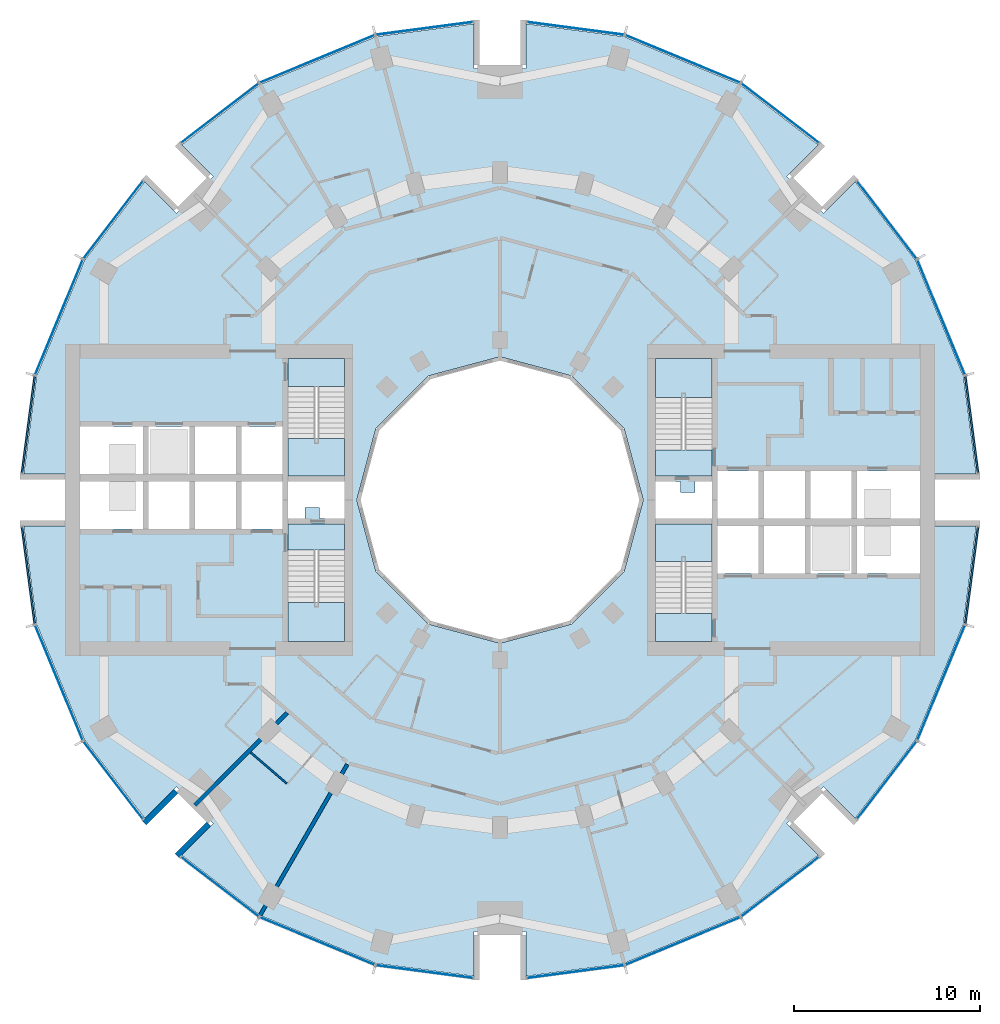
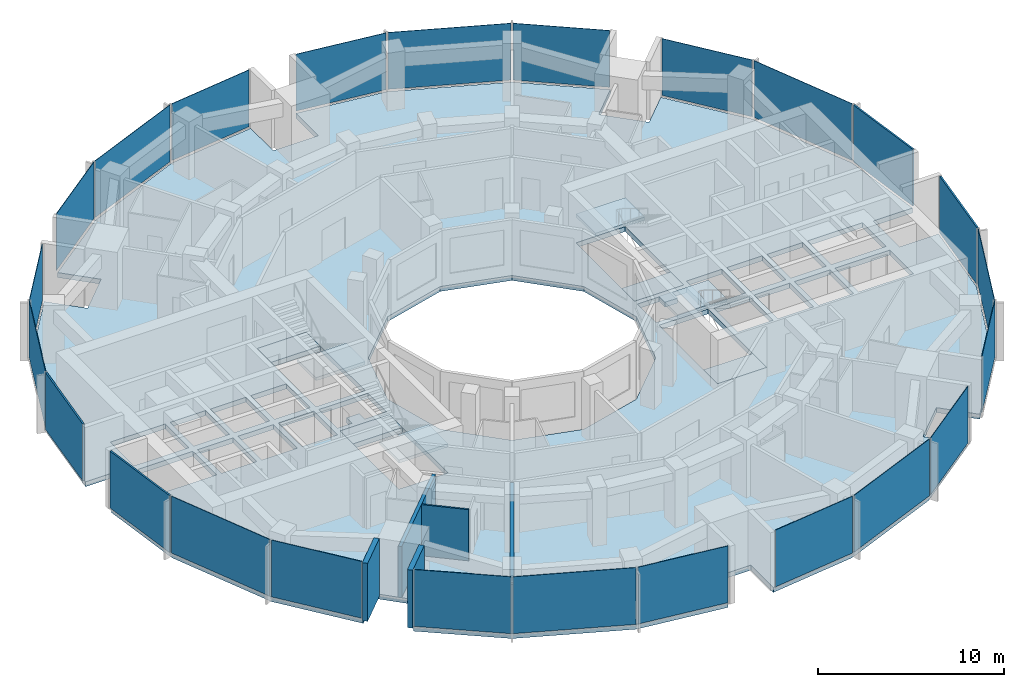
# One storey, part 7 of 15: 24 plates, 9 slabs, 5 walls, 28 elements without a shape of their own.
"""IFC4 building model written with IfcOpenShell, lengths in metres."""

from ifc_helpers import new_model, si_unit, direction, frame, frame_2d, origin, origin_2d, place, context, subcontext, project, spatial, polyline, rectangle, outline, extrude, material, layer, layer_set, type_object, element, aggregate, save


model = new_model("IFC4")

# Units and contexts
model_context = context("Model", 3, precision=1e-05, world=origin(), true_north=direction((0.0, 1.0)))
body_context = subcontext(model_context, "Body", "Model", "MODEL_VIEW")
ifc_project = project(units=[si_unit("LENGTHUNIT", "METRE"), si_unit("AREAUNIT", "SQUARE_METRE"), si_unit("VOLUMEUNIT", "CUBIC_METRE"), si_unit("PLANEANGLEUNIT", "RADIAN"), si_unit("MASSUNIT", "GRAM", prefix="KILO")], contexts=[model_context])

# Site, building, storey
site_placement = place(None, origin())
site = spatial("IfcSite", under=ifc_project, at=site_placement, CompositionType="ELEMENT")
building_placement = place(site_placement, origin())
building = spatial("IfcBuilding", under=site, at=building_placement, Name="Torre Brocal", CompositionType="ELEMENT")
storey_placement = place(building_placement, frame((0.0, 0.0, 97.60009765625)))
storey = spatial("IfcBuildingStorey", under=building, at=storey_placement, Name="L22", CompositionType="ELEMENT", Elevation=97.60009765625)

# Curtain wall, plate
ifc_material_1 = material(Name="Aluminium and glass", Category="aluminium")
ifc_layer_1 = layer(ifc_material_1, 0.199951171875)
ifc_layer_set_1 = layer_set([ifc_layer_1], Name="Aluminium and glass")
curtain_wall_type_1 = type_object("IfcCurtainWallType", Name="CW-1 CURTAIN WALL 3800 HIGH", PredefinedType="NOTDEFINED", material=ifc_layer_set_1)
curtain_wall_1_placement = place(storey_placement, origin())
curtain_wall_1 = element("IfcCurtainWall", 1, at=curtain_wall_1_placement, inside=storey, type_object=curtain_wall_type_1, Name="CW-1 RUN 2", PredefinedType="NOTDEFINED")
ifc_material_2 = material(Name="Glass, dark tinted laminated", Category="glass")
ifc_layer_2 = layer(ifc_material_2, 0.031982421875)
ifc_layer_set_2 = layer_set([ifc_layer_2], Name="Glass, dark tinted laminated")
plate_type_1 = type_object("IfcPlateType", Name="CW-1 GLASS PANEL 32", PredefinedType="CURTAIN_PANEL", material=ifc_layer_set_2)
plate_1_placement = place(storey_placement, frame((103.722900390625, 84.826416015625, 0.080078125), z_axis=(0.0, 0.0, 1.0), x_axis=(-0.382683432333, 0.923879532525, 0.0)))
plate_1 = element("IfcPlate", 2, at=plate_1_placement, type_object=plate_type_1, Name="CW1-1 panel 1.1", PredefinedType="CURTAIN_PANEL", context=body_context, shape_type="SweptSolid", body=[
    extrude(rectangle(XDim=6.64111328125, YDim=0.031982421875, at=origin_2d()), origin(), (0.0, 0.0, 1.0), 3.719970703125),
])
aggregate(curtain_wall_1, [plate_1])

curtain_wall_2_placement = place(storey_placement, origin())
curtain_wall_2 = element("IfcCurtainWall", 3, at=curtain_wall_2_placement, inside=storey, type_object=curtain_wall_type_1, Name="CW-1 RUN 3", PredefinedType="NOTDEFINED")
plate_2_placement = place(storey_placement, frame((100.80126953125, 90.0712890625, 0.080078125), z_axis=(0.0, 0.0, 1.0), x_axis=(-0.60876142905, 0.793353340259, 0.0)))
plate_2 = element("IfcPlate", 4, at=plate_2_placement, type_object=plate_type_1, Name="CW1-1 panel 1.1", PredefinedType="CURTAIN_PANEL", context=body_context, shape_type="SweptSolid", body=[
    extrude(rectangle(XDim=5.22900390625, YDim=0.031982421875, at=origin_2d()), origin(), (0.0, 0.0, 1.0), 3.719970703125),
])
aggregate(curtain_wall_2, [plate_2])

curtain_wall_3_placement = place(storey_placement, origin())
curtain_wall_3 = element("IfcCurtainWall", 5, at=curtain_wall_3_placement, inside=storey, type_object=curtain_wall_type_1, Name="CW-1 RUN 4", PredefinedType="NOTDEFINED")
plate_3_placement = place(storey_placement, frame((95.0712890625, 95.80126953125, 0.080078125), z_axis=(0.0, 0.0, 1.0), x_axis=(-0.793353340259, 0.60876142905, 0.0)))
plate_3 = element("IfcPlate", 6, at=plate_3_placement, type_object=plate_type_1, Name="CW1-1 panel 1.1", PredefinedType="CURTAIN_PANEL", context=body_context, shape_type="SweptSolid", body=[
    extrude(rectangle(XDim=5.22900390625, YDim=0.031982421875, at=origin_2d()), origin(), (0.0, 0.0, 1.0), 3.719970703125),
])
aggregate(curtain_wall_3, [plate_3])

curtain_wall_4_placement = place(storey_placement, origin())
curtain_wall_4 = element("IfcCurtainWall", 7, at=curtain_wall_4_placement, inside=storey, type_object=curtain_wall_type_1, Name="CW-1 RUN 5", PredefinedType="NOTDEFINED")
plate_4_placement = place(storey_placement, frame((89.826416015625, 98.722900390625, 0.080078125), z_axis=(0.0, 0.0, 1.0), x_axis=(-0.923879532525, 0.382683432333, 0.0)))
plate_4 = element("IfcPlate", 8, at=plate_4_placement, type_object=plate_type_1, Name="CW1-1 panel 1.1", PredefinedType="CURTAIN_PANEL", context=body_context, shape_type="SweptSolid", body=[
    extrude(rectangle(XDim=6.64111328125, YDim=0.031982421875, at=origin_2d()), origin(), (0.0, 0.0, 1.0), 3.719970703125),
])
aggregate(curtain_wall_4, [plate_4])

curtain_wall_5_placement = place(storey_placement, origin())
curtain_wall_5 = element("IfcCurtainWall", 9, at=curtain_wall_5_placement, inside=storey, type_object=curtain_wall_type_1, Name="CW-1 RUN 6", PredefinedType="NOTDEFINED")
plate_5_placement = place(storey_placement, frame((84.051513671875, 100.36572265625, 0.080078125), z_axis=(0.0, 0.0, 1.0), x_axis=(-0.991444861374, 0.13052619222, 0.0)))
plate_5 = element("IfcPlate", 10, at=plate_5_placement, type_object=plate_type_1, Name="CW1-1 panel 1.1", PredefinedType="CURTAIN_PANEL", context=body_context, shape_type="SweptSolid", body=[
    extrude(rectangle(XDim=5.22900390625, YDim=0.031982421875, at=origin_2d()), origin(), (0.0, 0.0, 1.0), 3.719970703125),
])
aggregate(curtain_wall_5, [plate_5])

curtain_wall_6_placement = place(storey_placement, origin())
curtain_wall_6 = element("IfcCurtainWall", 11, at=curtain_wall_6_placement, inside=storey, type_object=curtain_wall_type_1, Name="CW-1 RUN 7", PredefinedType="NOTDEFINED")
plate_6_placement = place(storey_placement, frame((75.948486328125, 100.36572265625, 0.080078125), z_axis=(0.0, 0.0, 1.0), x_axis=(-0.991444861374, -0.13052619222, 0.0)))
plate_6 = element("IfcPlate", 12, at=plate_6_placement, type_object=plate_type_1, Name="CW1-1 panel 1.1", PredefinedType="CURTAIN_PANEL", context=body_context, shape_type="SweptSolid", body=[
    extrude(rectangle(XDim=5.22900390625, YDim=0.031982421875, at=origin_2d()), origin(), (0.0, 0.0, 1.0), 3.719970703125),
])
aggregate(curtain_wall_6, [plate_6])

curtain_wall_7_placement = place(storey_placement, origin())
curtain_wall_7 = element("IfcCurtainWall", 13, at=curtain_wall_7_placement, inside=storey, type_object=curtain_wall_type_1, Name="CW-1 RUN 8", PredefinedType="NOTDEFINED")
plate_7_placement = place(storey_placement, frame((70.173583984375, 98.722900390625, 0.080078125), z_axis=(0.0, 0.0, 1.0), x_axis=(-0.923879532525, -0.382683432333, 0.0)))
plate_7 = element("IfcPlate", 14, at=plate_7_placement, type_object=plate_type_1, Name="CW1-1 panel 1.1", PredefinedType="CURTAIN_PANEL", context=body_context, shape_type="SweptSolid", body=[
    extrude(rectangle(XDim=6.64111328125, YDim=0.031982421875, at=origin_2d()), origin(), (0.0, 0.0, 1.0), 3.719970703125),
])
aggregate(curtain_wall_7, [plate_7])

curtain_wall_8_placement = place(storey_placement, origin())
curtain_wall_8 = element("IfcCurtainWall", 15, at=curtain_wall_8_placement, inside=storey, type_object=curtain_wall_type_1, Name="CW-1 RUN 9", PredefinedType="NOTDEFINED")
plate_8_placement = place(storey_placement, frame((64.9287109375, 95.80126953125, 0.080078125), z_axis=(0.0, 0.0, 1.0), x_axis=(-0.793353340259, -0.60876142905, 0.0)))
plate_8 = element("IfcPlate", 16, at=plate_8_placement, type_object=plate_type_1, Name="CW1-1 panel 1.1", PredefinedType="CURTAIN_PANEL", context=body_context, shape_type="SweptSolid", body=[
    extrude(rectangle(XDim=5.22900390625, YDim=0.031982421875, at=origin_2d()), origin(), (0.0, 0.0, 1.0), 3.719970703125),
])
aggregate(curtain_wall_8, [plate_8])

curtain_wall_9_placement = place(storey_placement, origin())
curtain_wall_9 = element("IfcCurtainWall", 17, at=curtain_wall_9_placement, inside=storey, type_object=curtain_wall_type_1, Name="CW-1 RUN 10", PredefinedType="NOTDEFINED")
plate_9_placement = place(storey_placement, frame((59.19873046875, 90.0712890625, 0.080078125), z_axis=(0.0, 0.0, 1.0), x_axis=(-0.60876142905, -0.793353340259, 0.0)))
plate_9 = element("IfcPlate", 18, at=plate_9_placement, type_object=plate_type_1, Name="CW1-1 panel 1.1", PredefinedType="CURTAIN_PANEL", context=body_context, shape_type="SweptSolid", body=[
    extrude(rectangle(XDim=5.22900390625, YDim=0.031982421875, at=origin_2d()), origin(), (0.0, 0.0, 1.0), 3.719970703125),
])
aggregate(curtain_wall_9, [plate_9])

curtain_wall_10_placement = place(storey_placement, origin())
curtain_wall_10 = element("IfcCurtainWall", 19, at=curtain_wall_10_placement, inside=storey, type_object=curtain_wall_type_1, Name="CW-1 RUN 11", PredefinedType="NOTDEFINED")
plate_10_placement = place(storey_placement, frame((56.277099609375, 84.826416015625, 0.080078125), z_axis=(0.0, 0.0, 1.0), x_axis=(-0.382683432333, -0.923879532525, 0.0)))
plate_10 = element("IfcPlate", 20, at=plate_10_placement, type_object=plate_type_1, Name="CW1-1 panel 1.1", PredefinedType="CURTAIN_PANEL", context=body_context, shape_type="SweptSolid", body=[
    extrude(rectangle(XDim=6.64111328125, YDim=0.031982421875, at=origin_2d()), origin(), (0.0, 0.0, 1.0), 3.719970703125),
])
aggregate(curtain_wall_10, [plate_10])

curtain_wall_11_placement = place(storey_placement, origin())
curtain_wall_11 = element("IfcCurtainWall", 21, at=curtain_wall_11_placement, inside=storey, type_object=curtain_wall_type_1, Name="CW-1 RUN 14", PredefinedType="NOTDEFINED")
plate_11_placement = place(storey_placement, frame((56.277099609375, 65.173583984375, 0.080078125), z_axis=(0.0, 0.0, 1.0), x_axis=(0.382683432333, -0.923879532525, 0.0)))
plate_11 = element("IfcPlate", 22, at=plate_11_placement, type_object=plate_type_1, Name="CW1-1 panel 1.1", PredefinedType="CURTAIN_PANEL", context=body_context, shape_type="SweptSolid", body=[
    extrude(rectangle(XDim=6.64111328125, YDim=0.031982421875, at=origin_2d()), origin(), (0.0, 0.0, 1.0), 3.719970703125),
])
aggregate(curtain_wall_11, [plate_11])

curtain_wall_12_placement = place(storey_placement, origin())
curtain_wall_12 = element("IfcCurtainWall", 23, at=curtain_wall_12_placement, inside=storey, type_object=curtain_wall_type_1, Name="CW-1 RUN 15", PredefinedType="NOTDEFINED")
plate_12_placement = place(storey_placement, frame((59.19873046875, 59.9287109375, 0.080078125), z_axis=(0.0, 0.0, 1.0), x_axis=(0.60876142905, -0.793353340259, 0.0)))
plate_12 = element("IfcPlate", 24, at=plate_12_placement, type_object=plate_type_1, Name="CW1-1 panel 1.1", PredefinedType="CURTAIN_PANEL", context=body_context, shape_type="SweptSolid", body=[
    extrude(rectangle(XDim=5.22900390625, YDim=0.031982421875, at=origin_2d()), origin(), (0.0, 0.0, 1.0), 3.719970703125),
])
aggregate(curtain_wall_12, [plate_12])

curtain_wall_13_placement = place(storey_placement, origin())
curtain_wall_13 = element("IfcCurtainWall", 25, at=curtain_wall_13_placement, inside=storey, type_object=curtain_wall_type_1, Name="CW-1 RUN 16", PredefinedType="NOTDEFINED")
plate_13_placement = place(storey_placement, frame((64.9287109375, 54.19873046875, 0.080078125), z_axis=(0.0, 0.0, 1.0), x_axis=(0.793353340259, -0.60876142905, 0.0)))
plate_13 = element("IfcPlate", 26, at=plate_13_placement, type_object=plate_type_1, Name="CW1-1 panel 1.1", PredefinedType="CURTAIN_PANEL", context=body_context, shape_type="SweptSolid", body=[
    extrude(rectangle(XDim=5.22900390625, YDim=0.031982421875, at=origin_2d()), origin(), (0.0, 0.0, 1.0), 3.719970703125),
])
aggregate(curtain_wall_13, [plate_13])

curtain_wall_14_placement = place(storey_placement, origin())
curtain_wall_14 = element("IfcCurtainWall", 27, at=curtain_wall_14_placement, inside=storey, type_object=curtain_wall_type_1, Name="CW-1 RUN 17", PredefinedType="NOTDEFINED")
plate_14_placement = place(storey_placement, frame((70.173583984375, 51.277099609375, 0.080078125), z_axis=(0.0, 0.0, 1.0), x_axis=(0.923879532525, -0.382683432333, 0.0)))
plate_14 = element("IfcPlate", 28, at=plate_14_placement, type_object=plate_type_1, Name="CW1-1 panel 1.1", PredefinedType="CURTAIN_PANEL", context=body_context, shape_type="SweptSolid", body=[
    extrude(rectangle(XDim=6.64111328125, YDim=0.031982421875, at=origin_2d()), origin(), (0.0, 0.0, 1.0), 3.719970703125),
])
aggregate(curtain_wall_14, [plate_14])

curtain_wall_15_placement = place(storey_placement, origin())
curtain_wall_15 = element("IfcCurtainWall", 29, at=curtain_wall_15_placement, inside=storey, type_object=curtain_wall_type_1, Name="CW-1 RUN 18", PredefinedType="NOTDEFINED")
plate_15_placement = place(storey_placement, frame((75.948486328125, 49.63427734375, 0.080078125), z_axis=(0.0, 0.0, 1.0), x_axis=(0.991444861374, -0.13052619222, 0.0)))
plate_15 = element("IfcPlate", 30, at=plate_15_placement, type_object=plate_type_1, Name="CW1-1 panel 1.1", PredefinedType="CURTAIN_PANEL", context=body_context, shape_type="SweptSolid", body=[
    extrude(rectangle(XDim=5.22900390625, YDim=0.031982421875, at=origin_2d()), origin(), (0.0, 0.0, 1.0), 3.719970703125),
])
aggregate(curtain_wall_15, [plate_15])

curtain_wall_16_placement = place(storey_placement, origin())
curtain_wall_16 = element("IfcCurtainWall", 31, at=curtain_wall_16_placement, inside=storey, type_object=curtain_wall_type_1, Name="CW-1 RUN 19", PredefinedType="NOTDEFINED")
plate_16_placement = place(storey_placement, frame((84.051513671875, 49.63427734375, 0.080078125), z_axis=(0.0, 0.0, 1.0), x_axis=(0.991444861374, 0.13052619222, 0.0)))
plate_16 = element("IfcPlate", 32, at=plate_16_placement, type_object=plate_type_1, Name="CW1-1 panel 1.1", PredefinedType="CURTAIN_PANEL", context=body_context, shape_type="SweptSolid", body=[
    extrude(rectangle(XDim=5.22900390625, YDim=0.031982421875, at=origin_2d()), origin(), (0.0, 0.0, 1.0), 3.719970703125),
])
aggregate(curtain_wall_16, [plate_16])

curtain_wall_17_placement = place(storey_placement, origin())
curtain_wall_17 = element("IfcCurtainWall", 33, at=curtain_wall_17_placement, inside=storey, type_object=curtain_wall_type_1, Name="CW-1 RUN 20", PredefinedType="NOTDEFINED")
plate_17_placement = place(storey_placement, frame((89.826416015625, 51.277099609375, 0.080078125), z_axis=(0.0, 0.0, 1.0), x_axis=(0.923879532525, 0.382683432333, 0.0)))
plate_17 = element("IfcPlate", 34, at=plate_17_placement, type_object=plate_type_1, Name="CW1-1 panel 1.1", PredefinedType="CURTAIN_PANEL", context=body_context, shape_type="SweptSolid", body=[
    extrude(rectangle(XDim=6.64111328125, YDim=0.031982421875, at=origin_2d()), origin(), (0.0, 0.0, 1.0), 3.719970703125),
])
aggregate(curtain_wall_17, [plate_17])

curtain_wall_18_placement = place(storey_placement, origin())
curtain_wall_18 = element("IfcCurtainWall", 35, at=curtain_wall_18_placement, inside=storey, type_object=curtain_wall_type_1, Name="CW-1 RUN 21", PredefinedType="NOTDEFINED")
plate_18_placement = place(storey_placement, frame((95.0712890625, 54.19873046875, 0.080078125), z_axis=(0.0, 0.0, 1.0), x_axis=(0.793353340259, 0.60876142905, 0.0)))
plate_18 = element("IfcPlate", 36, at=plate_18_placement, type_object=plate_type_1, Name="CW1-1 panel 1.1", PredefinedType="CURTAIN_PANEL", context=body_context, shape_type="SweptSolid", body=[
    extrude(rectangle(XDim=5.22900390625, YDim=0.031982421875, at=origin_2d()), origin(), (0.0, 0.0, 1.0), 3.719970703125),
])
aggregate(curtain_wall_18, [plate_18])

curtain_wall_19_placement = place(storey_placement, origin())
curtain_wall_19 = element("IfcCurtainWall", 37, at=curtain_wall_19_placement, inside=storey, type_object=curtain_wall_type_1, Name="CW-1 RUN 22", PredefinedType="NOTDEFINED")
plate_19_placement = place(storey_placement, frame((100.80126953125, 59.9287109375, 0.080078125), z_axis=(0.0, 0.0, 1.0), x_axis=(0.60876142905, 0.793353340259, 0.0)))
plate_19 = element("IfcPlate", 38, at=plate_19_placement, type_object=plate_type_1, Name="CW1-1 panel 1.1", PredefinedType="CURTAIN_PANEL", context=body_context, shape_type="SweptSolid", body=[
    extrude(rectangle(XDim=5.22900390625, YDim=0.031982421875, at=origin_2d()), origin(), (0.0, 0.0, 1.0), 3.719970703125),
])
aggregate(curtain_wall_19, [plate_19])

curtain_wall_20_placement = place(storey_placement, origin())
curtain_wall_20 = element("IfcCurtainWall", 39, at=curtain_wall_20_placement, inside=storey, type_object=curtain_wall_type_1, Name="CW-1 RUN 23", PredefinedType="NOTDEFINED")
plate_20_placement = place(storey_placement, frame((103.722900390625, 65.173583984375, 0.080078125), z_axis=(0.0, 0.0, 1.0), x_axis=(0.382683432333, 0.923879532525, 0.0)))
plate_20 = element("IfcPlate", 40, at=plate_20_placement, type_object=plate_type_1, Name="CW1-1 panel 1.1", PredefinedType="CURTAIN_PANEL", context=body_context, shape_type="SweptSolid", body=[
    extrude(rectangle(XDim=6.64111328125, YDim=0.031982421875, at=origin_2d()), origin(), (0.0, 0.0, 1.0), 3.719970703125),
])
aggregate(curtain_wall_20, [plate_20])

ifc_material_3 = material(Name="Aluminium and glass", Category="aluminium")
ifc_layer_3 = layer(ifc_material_3, 0.199951171875)
ifc_layer_set_3 = layer_set([ifc_layer_3], Name="Aluminium and glass")
curtain_wall_type_2 = type_object("IfcCurtainWallType", Name="CW-1B CURTAIN WALL 3800 HIGH", PredefinedType="NOTDEFINED", material=ifc_layer_set_3)
curtain_wall_21_placement = place(storey_placement, origin())
curtain_wall_21 = element("IfcCurtainWall", 41, at=curtain_wall_21_placement, inside=storey, type_object=curtain_wall_type_2, Name="CW-1B RUN 1", PredefinedType="NOTDEFINED")
ifc_material_4 = material(Name="Aluminium composite panel", Category="aluminium")
ifc_layer_4 = layer(ifc_material_4, 0.10009765625)
ifc_layer_set_4 = layer_set([ifc_layer_4], Name="Aluminium composite panel")
plate_type_2 = type_object("IfcPlateType", Name="CW-1B OPAQUE PANEL 100", PredefinedType="CURTAIN_PANEL", material=ifc_layer_set_4)
plate_21_placement = place(storey_placement, frame((105.36572265625, 79.051513671875, 0.080078125), z_axis=(0.0, 0.0, 1.0), x_axis=(-0.13052619222, 0.991444861374, 0.0)))
plate_21 = element("IfcPlate", 42, at=plate_21_placement, type_object=plate_type_2, Name="CW1B-1 panel 1.1", PredefinedType="CURTAIN_PANEL", context=body_context, shape_type="SweptSolid", body=[
    extrude(rectangle(XDim=5.22900390625, YDim=0.10009765625, at=origin_2d()), origin(), (0.0, 0.0, 1.0), 3.719970703125),
])
aggregate(curtain_wall_21, [plate_21])

curtain_wall_22_placement = place(storey_placement, origin())
curtain_wall_22 = element("IfcCurtainWall", 43, at=curtain_wall_22_placement, inside=storey, type_object=curtain_wall_type_2, Name="CW-1B RUN 12", PredefinedType="NOTDEFINED")
plate_22_placement = place(storey_placement, frame((54.63427734375, 79.051513671875, 0.080078125), z_axis=(0.0, 0.0, 1.0), x_axis=(-0.13052619222, -0.991444861374, 0.0)))
plate_22 = element("IfcPlate", 44, at=plate_22_placement, type_object=plate_type_2, Name="CW1B-1 panel 1.1", PredefinedType="CURTAIN_PANEL", context=body_context, shape_type="SweptSolid", body=[
    extrude(rectangle(XDim=5.22900390625, YDim=0.10009765625, at=origin_2d()), origin(), (0.0, 0.0, 1.0), 3.719970703125),
])
aggregate(curtain_wall_22, [plate_22])

curtain_wall_23_placement = place(storey_placement, origin())
curtain_wall_23 = element("IfcCurtainWall", 45, at=curtain_wall_23_placement, inside=storey, type_object=curtain_wall_type_2, Name="CW-1B RUN 13", PredefinedType="NOTDEFINED")
plate_23_placement = place(storey_placement, frame((54.63427734375, 70.948486328125, 0.080078125), z_axis=(0.0, 0.0, 1.0), x_axis=(0.13052619222, -0.991444861374, 0.0)))
plate_23 = element("IfcPlate", 46, at=plate_23_placement, type_object=plate_type_2, Name="CW1B-1 panel 1.1", PredefinedType="CURTAIN_PANEL", context=body_context, shape_type="SweptSolid", body=[
    extrude(rectangle(XDim=5.22900390625, YDim=0.10009765625, at=origin_2d()), origin(), (0.0, 0.0, 1.0), 3.719970703125),
])
aggregate(curtain_wall_23, [plate_23])

curtain_wall_24_placement = place(storey_placement, origin())
curtain_wall_24 = element("IfcCurtainWall", 47, at=curtain_wall_24_placement, inside=storey, type_object=curtain_wall_type_2, Name="CW-1B RUN 24", PredefinedType="NOTDEFINED")
plate_24_placement = place(storey_placement, frame((105.36572265625, 70.948486328125, 0.080078125), z_axis=(0.0, 0.0, 1.0), x_axis=(0.13052619222, 0.991444861374, 0.0)))
plate_24 = element("IfcPlate", 48, at=plate_24_placement, type_object=plate_type_2, Name="CW1B-1 panel 1.1", PredefinedType="CURTAIN_PANEL", context=body_context, shape_type="SweptSolid", body=[
    extrude(rectangle(XDim=5.22900390625, YDim=0.10009765625, at=origin_2d()), origin(), (0.0, 0.0, 1.0), 3.719970703125),
])
aggregate(curtain_wall_24, [plate_24])

# Stair, slab
ifc_material_5 = material(Name="Concrete C50", Category="concrete")
stair_type = type_object("IfcStairType", Name="EXIT STAIR", PredefinedType="HALF_TURN_STAIR", material=ifc_material_5)
stair_1_placement = place(storey_placement, origin())
stair_1 = element("IfcStair", 49, at=stair_1_placement, inside=storey, type_object=stair_type, Name="EXIT STAIR ST1", PredefinedType="HALF_TURN_STAIR")
ifc_material_6 = material(Name="Concrete C50", Category="concrete")
ifc_layer_5 = layer(ifc_material_6, 0.320068359375)
ifc_layer_set_5 = layer_set([ifc_layer_5], Name="Concrete C50")
slab_type_1 = type_object("IfcSlabType", Name="FLOOR LANDING 320", PredefinedType="LANDING", material=ifc_layer_set_5)
slab_1_placement = place(storey_placement, frame((0.0, 0.0, -0.320068359375)))
slab_1 = element("IfcSlab", 50, at=slab_1_placement, type_object=slab_type_1, Name="ST1 landing 1", PredefinedType="LANDING", context=body_context, shape_type="SweptSolid", body=[
    extrude(outline(polyline([(88.35009765625, 76.300048828125), (91.39990234375, 76.300048828125), (91.39990234375, 77.699951171875), (88.35009765625, 77.699951171875), (88.35009765625, 76.300048828125)])), origin(), (0.0, 0.0, 1.0), 0.320068359375),
])

stair_2_placement = place(storey_placement, origin())
stair_2 = element("IfcStair", 51, at=stair_2_placement, inside=storey, type_object=stair_type, Name="EXIT STAIR ST2", PredefinedType="HALF_TURN_STAIR")
slab_2_placement = place(storey_placement, frame((0.0, 0.0, -0.320068359375)))
slab_2 = element("IfcSlab", 52, at=slab_2_placement, type_object=slab_type_1, Name="ST2 landing 1", PredefinedType="LANDING", context=body_context, shape_type="SweptSolid", body=[
    extrude(outline(polyline([(88.35009765625, 67.39990234375), (91.39990234375, 67.39990234375), (91.39990234375, 68.89990234375), (88.35009765625, 68.89990234375), (88.35009765625, 67.39990234375)])), origin(), (0.0, 0.0, 1.0), 0.320068359375),
])

stair_3_placement = place(storey_placement, origin())
stair_3 = element("IfcStair", 53, at=stair_3_placement, inside=storey, type_object=stair_type, Name="EXIT STAIR ST3", PredefinedType="HALF_TURN_STAIR")
slab_3_placement = place(storey_placement, frame((0.0, 0.0, -0.320068359375)))
slab_3 = element("IfcSlab", 54, at=slab_3_placement, type_object=slab_type_1, Name="ST3 landing 1", PredefinedType="LANDING", context=body_context, shape_type="SweptSolid", body=[
    extrude(outline(polyline([(71.64990234375, 73.699951171875), (68.60009765625, 73.699951171875), (68.60009765625, 72.300048828125), (71.64990234375, 72.300048828125), (71.64990234375, 73.699951171875)])), origin(), (0.0, 0.0, 1.0), 0.320068359375),
])

stair_4_placement = place(storey_placement, origin())
stair_4 = element("IfcStair", 55, at=stair_4_placement, inside=storey, type_object=stair_type, Name="EXIT STAIR ST4", PredefinedType="HALF_TURN_STAIR")
slab_4_placement = place(storey_placement, frame((0.0, 0.0, -0.320068359375)))
slab_4 = element("IfcSlab", 56, at=slab_4_placement, type_object=slab_type_1, Name="ST4 landing 1", PredefinedType="LANDING", context=body_context, shape_type="SweptSolid", body=[
    extrude(outline(polyline([(71.64990234375, 82.60009765625), (68.60009765625, 82.60009765625), (68.60009765625, 81.10009765625), (71.64990234375, 81.10009765625), (71.64990234375, 82.60009765625)])), origin(), (0.0, 0.0, 1.0), 0.320068359375),
])

# Slab
ifc_material_7 = material(Name="Concrete C50", Category="concrete")
ifc_layer_6 = layer(ifc_material_7, 0.199951171875)
ifc_layer_set_6 = layer_set([ifc_layer_6], Name="Concrete C50")
slab_type_2 = type_object("IfcSlabType", Name="MID LANDING +1900", PredefinedType="LANDING", material=ifc_layer_set_6)
slab_5_placement = place(storey_placement, frame((0.0, 0.0, 1.699951171875)))
slab_5 = element("IfcSlab", 57, at=slab_5_placement, type_object=slab_type_2, Name="ST1 landing 2", PredefinedType="LANDING", context=body_context, shape_type="SweptSolid", body=[
    extrude(outline(polyline([(88.35009765625, 80.5), (91.39990234375, 80.5), (91.39990234375, 82.60009765625), (88.35009765625, 82.60009765625), (88.35009765625, 80.5)])), origin(), (0.0, 0.0, 1.0), 0.199951171875),
])

aggregate(stair_1, [slab_1, slab_5])

slab_6_placement = place(storey_placement, frame((0.0, 0.0, 1.699951171875)))
slab_6 = element("IfcSlab", 58, at=slab_6_placement, type_object=slab_type_2, Name="ST2 landing 2", PredefinedType="LANDING", context=body_context, shape_type="SweptSolid", body=[
    extrude(outline(polyline([(88.35009765625, 71.699951171875), (91.39990234375, 71.699951171875), (91.39990234375, 73.699951171875), (88.35009765625, 73.699951171875), (88.35009765625, 71.699951171875)])), origin(), (0.0, 0.0, 1.0), 0.199951171875),
])

aggregate(stair_2, [slab_2, slab_6])

slab_7_placement = place(storey_placement, frame((0.0, 0.0, 1.699951171875)))
slab_7 = element("IfcSlab", 59, at=slab_7_placement, type_object=slab_type_2, Name="ST3 landing 2", PredefinedType="LANDING", context=body_context, shape_type="SweptSolid", body=[
    extrude(outline(polyline([(71.64990234375, 69.5), (68.60009765625, 69.5), (68.60009765625, 67.39990234375), (71.64990234375, 67.39990234375), (71.64990234375, 69.5)])), origin(), (0.0, 0.0, 1.0), 0.199951171875),
])

aggregate(stair_3, [slab_3, slab_7])

slab_8_placement = place(storey_placement, frame((0.0, 0.0, 1.699951171875)))
slab_8 = element("IfcSlab", 60, at=slab_8_placement, type_object=slab_type_2, Name="ST4 landing 2", PredefinedType="LANDING", context=body_context, shape_type="SweptSolid", body=[
    extrude(outline(polyline([(71.64990234375, 78.300048828125), (68.60009765625, 78.300048828125), (68.60009765625, 76.300048828125), (71.64990234375, 76.300048828125), (71.64990234375, 78.300048828125)])), origin(), (0.0, 0.0, 1.0), 0.199951171875),
])

aggregate(stair_4, [slab_4, slab_8])

ifc_material_8 = material(Name="Concrete C45", Category="concrete")
ifc_layer_7 = layer(ifc_material_8, 0.320068359375)
ifc_layer_set_7 = layer_set([ifc_layer_7], Name="Concrete C45")
slab_type_3 = type_object("IfcSlabType", Name="PT FLOOR SLAB 320 C45", PredefinedType="FLOOR", material=ifc_layer_set_7)
slab_9_placement = place(storey_placement, frame((0.0, 0.0, -0.320068359375)))
element("IfcSlab", 61, at=slab_9_placement, inside=storey, type_object=slab_type_3, Name="Slab ST-05", PredefinedType="FLOOR", context=body_context, shape_type="SweptSolid", body=[
    extrude(outline(polyline([(103.199951171875, 76.39990234375), (103.199951171875, 73.60009765625), (105.614013671875, 73.60009765625), (104.919189453125, 68.322998046875), (102.342041015625, 62.100830078125), (99.101806640625, 57.878173828125), (97.394775390625, 59.5849609375), (95.4150390625, 57.605224609375), (97.121826171875, 55.898193359375), (92.899169921875, 52.657958984375), (86.677001953125, 50.080810546875), (81.39990234375, 49.385986328125), (81.39990234375, 51.800048828125), (78.60009765625, 51.800048828125), (78.60009765625, 49.385986328125), (73.322998046875, 50.080810546875), (67.100830078125, 52.657958984375), (62.878173828125, 55.898193359375), (64.5849609375, 57.605224609375), (62.605224609375, 59.5849609375), (60.898193359375, 57.878173828125), (57.657958984375, 62.100830078125), (55.080810546875, 68.322998046875), (54.385986328125, 73.60009765625), (56.800048828125, 73.60009765625), (56.800048828125, 76.39990234375), (54.385986328125, 76.39990234375), (55.080810546875, 81.677001953125), (57.657958984375, 87.899169921875), (60.898193359375, 92.121826171875), (62.605224609375, 90.4150390625), (64.5849609375, 92.394775390625), (62.878173828125, 94.101806640625), (67.100830078125, 97.342041015625), (73.322998046875, 99.919189453125), (78.60009765625, 100.614013671875), (78.60009765625, 98.199951171875), (81.39990234375, 98.199951171875), (81.39990234375, 100.614013671875), (86.677001953125, 99.919189453125), (92.899169921875, 97.342041015625), (97.121826171875, 94.101806640625), (95.4150390625, 92.394775390625), (97.394775390625, 90.4150390625), (99.101806640625, 92.121826171875), (102.342041015625, 87.899169921875), (104.919189453125, 81.677001953125), (105.614013671875, 76.39990234375), (103.199951171875, 76.39990234375)]), holes=[polyline([(102.60009765625, 74.0), (102.60009765625, 76.550048828125), (99.199951171875, 76.550048828125), (99.199951171875, 74.0), (102.60009765625, 74.0)]), polyline([(102.60009765625, 71.050048828125), (102.60009765625, 73.60009765625), (99.199951171875, 73.60009765625), (99.199951171875, 71.050048828125), (102.60009765625, 71.050048828125)]), polyline([(98.89990234375, 76.550048828125), (96.699951171875, 76.550048828125), (96.699951171875, 74.0), (98.89990234375, 74.0), (98.89990234375, 76.550048828125)]), polyline([(98.89990234375, 71.050048828125), (98.89990234375, 73.60009765625), (96.699951171875, 73.60009765625), (96.699951171875, 71.050048828125), (98.89990234375, 71.050048828125)]), polyline([(96.39990234375, 73.60009765625), (94.199951171875, 73.60009765625), (94.199951171875, 71.050048828125), (96.39990234375, 71.050048828125), (96.39990234375, 73.60009765625)]), polyline([(96.39990234375, 74.0), (96.39990234375, 76.550048828125), (94.199951171875, 76.550048828125), (94.199951171875, 74.0), (96.39990234375, 74.0)]), polyline([(93.89990234375, 73.60009765625), (91.699951171875, 73.60009765625), (91.699951171875, 71.050048828125), (93.89990234375, 71.050048828125), (93.89990234375, 73.60009765625)]), polyline([(93.89990234375, 74.0), (93.89990234375, 76.550048828125), (91.699951171875, 76.550048828125), (91.699951171875, 74.0), (93.89990234375, 74.0)]), polyline([(91.39990234375, 76.300048828125), (91.39990234375, 82.60009765625), (88.35009765625, 82.60009765625), (88.35009765625, 76.300048828125), (91.39990234375, 76.300048828125)]), polyline([(91.39990234375, 73.699951171875), (88.35009765625, 73.699951171875), (88.35009765625, 67.39990234375), (91.39990234375, 67.39990234375), (91.39990234375, 73.699951171875)]), polyline([(89.699951171875, 76.0), (88.35009765625, 76.0), (88.35009765625, 74.0), (91.39990234375, 74.0), (91.39990234375, 76.0), (90.5, 76.0), (90.5, 75.39990234375), (89.699951171875, 75.39990234375), (89.699951171875, 76.0)]), polyline([(80.0, 82.70703125), (76.146484375, 81.674560546875), (73.325439453125, 78.853515625), (72.29296875, 75.0), (73.325439453125, 71.146484375), (76.146484375, 68.325439453125), (80.0, 67.29296875), (83.853515625, 68.325439453125), (86.674560546875, 71.146484375), (87.70703125, 75.0), (86.674560546875, 78.853515625), (83.853515625, 81.674560546875), (80.0, 82.70703125)]), polyline([(68.60009765625, 82.60009765625), (68.60009765625, 76.300048828125), (71.64990234375, 76.300048828125), (71.64990234375, 82.60009765625), (68.60009765625, 82.60009765625)]), polyline([(70.300048828125, 74.0), (71.64990234375, 74.0), (71.64990234375, 76.0), (68.60009765625, 76.0), (68.60009765625, 74.0), (69.5, 74.0), (69.5, 74.60009765625), (70.300048828125, 74.60009765625), (70.300048828125, 74.0)]), polyline([(68.60009765625, 67.39990234375), (71.64990234375, 67.39990234375), (71.64990234375, 73.699951171875), (68.60009765625, 73.699951171875), (68.60009765625, 67.39990234375)]), polyline([(66.10009765625, 78.949951171875), (66.10009765625, 76.39990234375), (68.300048828125, 76.39990234375), (68.300048828125, 78.949951171875), (66.10009765625, 78.949951171875)]), polyline([(66.10009765625, 76.0), (66.10009765625, 73.449951171875), (68.300048828125, 73.449951171875), (68.300048828125, 76.0), (66.10009765625, 76.0)]), polyline([(63.60009765625, 76.0), (63.60009765625, 73.449951171875), (65.800048828125, 73.449951171875), (65.800048828125, 76.0), (63.60009765625, 76.0)]), polyline([(63.60009765625, 76.39990234375), (65.800048828125, 76.39990234375), (65.800048828125, 78.949951171875), (63.60009765625, 78.949951171875), (63.60009765625, 76.39990234375)]), polyline([(61.10009765625, 78.949951171875), (61.10009765625, 76.39990234375), (63.300048828125, 76.39990234375), (63.300048828125, 78.949951171875), (61.10009765625, 78.949951171875)]), polyline([(61.10009765625, 73.449951171875), (63.300048828125, 73.449951171875), (63.300048828125, 76.0), (61.10009765625, 76.0), (61.10009765625, 73.449951171875)]), polyline([(57.39990234375, 73.449951171875), (60.800048828125, 73.449951171875), (60.800048828125, 76.0), (57.39990234375, 76.0), (57.39990234375, 73.449951171875)]), polyline([(57.39990234375, 78.949951171875), (57.39990234375, 76.39990234375), (60.800048828125, 76.39990234375), (60.800048828125, 78.949951171875), (57.39990234375, 78.949951171875)])]), origin(), (0.0, 0.0, 1.0), 0.320068359375),
])

# Walls
ifc_material_9 = material(Name="Concrete C80", Category="concrete")
ifc_layer_8 = layer(ifc_material_9, 0.300048828125)
ifc_layer_set_8 = layer_set([ifc_layer_8], Name="Concrete C80")
wall_type_1 = type_object("IfcWallType", Name="NOTCH RETURN WALL 300 C80", PredefinedType="NOTDEFINED", material=ifc_layer_set_8)
for number, where, z_axis, x_axis, name in (
    (62, (62.56982421875, 59.337646484375, 0.0), (0.0, 0.0, 1.0), (-0.707106781187, -0.707106781187, 0.0), "NOTCH RETURN WALL"),
    (63, (64.337646484375, 57.56982421875, 0.0), (0.0, 0.0, 1.0), (-0.707106781187, -0.707106781187, 0.0), "NOTCH RETURN WALL"),
):
    element("IfcWall", number, at=place(storey_placement, frame(where, z_axis=z_axis, x_axis=x_axis)), inside=storey, type_object=wall_type_1, Name=name, PredefinedType="NOTDEFINED", context=body_context, shape_type="SweptSolid", body=[
        extrude(rectangle(XDim=2.415771484375, YDim=0.300048828125, at=frame_2d((1.2080078125, 0.0))), origin(), (0.0, 0.0, 1.0), 3.7998046875),
    ])
ifc_material_10 = material(Name="Gypsum board", Category="Gypsum")
ifc_layer_9 = layer(ifc_material_10, 0.10009765625)
ifc_layer_set_9 = layer_set([ifc_layer_9], Name="Gypsum board")
wall_type_2 = type_object("IfcWallType", Name="PARTITION 100", PredefinedType="PARTITIONING", material=ifc_layer_set_9)
wall_1_placement = place(storey_placement, frame((66.57568359375, 61.434814453125, 0.0), z_axis=(0.0, 0.0, 1.0), x_axis=(0.757970550281, -0.652288774169, 0.0)))
element("IfcWall", 64, at=wall_1_placement, inside=storey, type_object=wall_type_2, Name="BATHROOM WALL", PredefinedType="PARTITIONING", context=body_context, shape_type="SweptSolid", body=[
    extrude(rectangle(XDim=2.575927734375, YDim=0.10009765625, at=frame_2d((1.2880859375, 0.0))), origin(), (0.0, 0.0, 1.0), 3.349853515625),
])
ifc_material_11 = material(Name="Gypsum board", Category="Gypsum")
ifc_layer_10 = layer(ifc_material_11, 0.199951171875)
ifc_layer_set_10 = layer_set([ifc_layer_10], Name="Gypsum board")
wall_type_3 = type_object("IfcWallType", Name="PARTITION 200 EI60", PredefinedType="PARTITIONING", material=ifc_layer_set_10)
wall_2_placement = place(storey_placement, frame((63.593505859375, 58.597900390625, 0.0), z_axis=(0.0, 0.0, 1.0), x_axis=(0.707228748718, 0.706984792613, 0.0)))
element("IfcWall", 65, at=wall_2_placement, inside=storey, type_object=wall_type_3, Name="BATHROOM WALL", PredefinedType="PARTITIONING", context=body_context, shape_type="SweptSolid", body=[
    extrude(rectangle(XDim=7.00537109375, YDim=0.199951171875, at=frame_2d((3.502685546875, 0.0))), origin(), (0.0, 0.0, 1.0), 3.349853515625),
])
wall_3_placement = place(storey_placement, frame((67.095947265625, 52.66162109375, 0.0), z_axis=(0.0, 0.0, 1.0), x_axis=(0.500222922337, 0.865896661253, 0.0)))
element("IfcWall", 66, at=wall_3_placement, inside=storey, type_object=wall_type_3, Name="PARTY PARTITION", PredefinedType="PARTITIONING", context=body_context, shape_type="SweptSolid", body=[
    extrude(rectangle(XDim=9.373779296875, YDim=0.199951171875, at=frame_2d((4.68701171875, 0.0))), origin(), (0.0, 0.0, 1.0), 3.349853515625),
])

save(model, "model.ifc")
